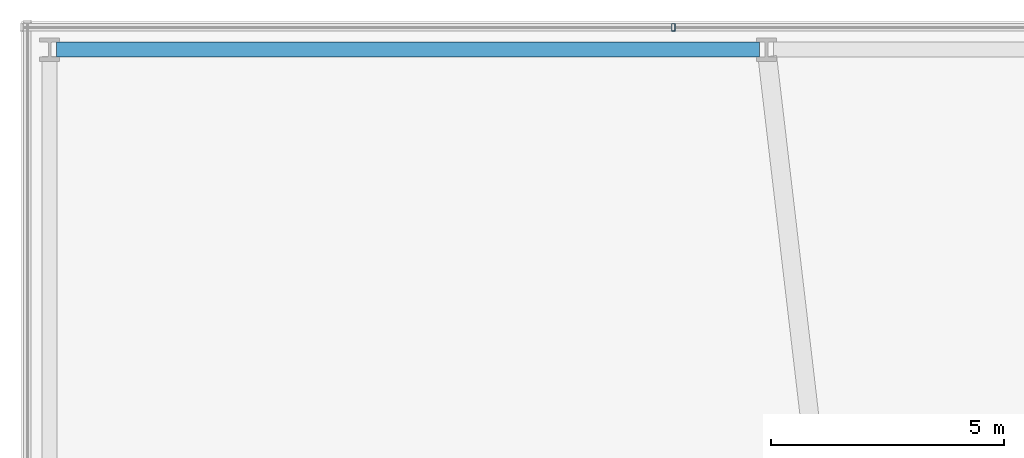
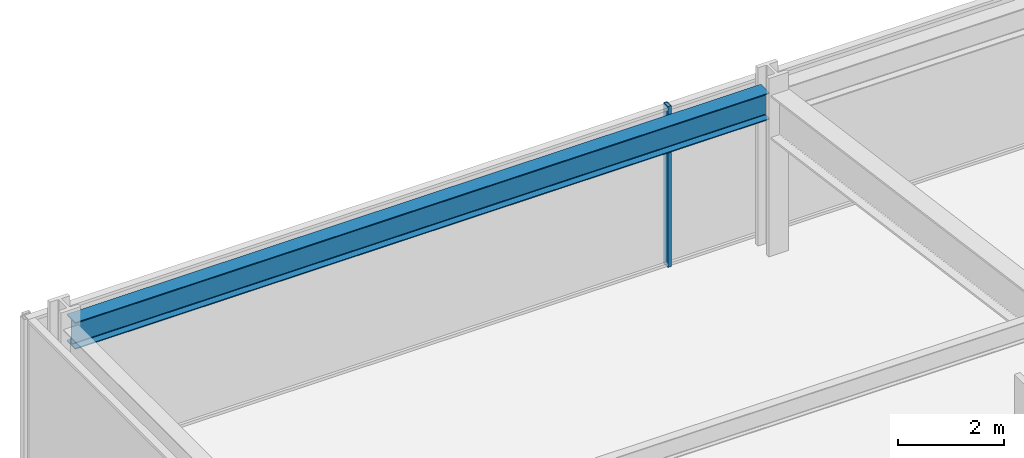
# One storey, part 24 of 39: 1 beam, 1 member, 1 element without a shape of its own.
"""IFC4 building model written with IfcOpenShell, lengths in metres."""

from ifc_helpers import new_model, si_unit, direction, frame, origin, origin_2d, place, context, subcontext, project, spatial, hollow_rectangle, i_section, extrude, material, material_profile, profile_set, type_object, element, aggregate, save


model = new_model("IFC4")

# Units and contexts
model_context = context("Model", 3, precision=1e-05, world=origin(), true_north=direction((0.0, 1.0)))
body_context = subcontext(model_context, "Body", "Model", "MODEL_VIEW")
ifc_project = project(units=[si_unit("LENGTHUNIT", "METRE"), si_unit("AREAUNIT", "SQUARE_METRE"), si_unit("VOLUMEUNIT", "CUBIC_METRE"), si_unit("PLANEANGLEUNIT", "RADIAN"), si_unit("MASSUNIT", "GRAM", prefix="KILO")], contexts=[model_context])

# Site, building, storey
site_placement = place(None, origin())
site = spatial("IfcSite", under=ifc_project, at=site_placement, CompositionType="ELEMENT")
building_placement = place(site_placement, origin())
building = spatial("IfcBuilding", under=site, at=building_placement, Name="Kolvaren Belvedere", CompositionType="ELEMENT")
storey_placement = place(building_placement, frame((0.0, 0.0, 15.199951171875)))
storey = spatial("IfcBuildingStorey", under=building, at=storey_placement, Name="L04", CompositionType="ELEMENT", Elevation=15.199951171875)

# Beam
ifc_material_1 = material(Name="Structural steel ASTM A992 Grade 50", Category="steel")
ifc_material_profile_1 = material_profile(ifc_material_1, i_section(OverallWidth=0.324951171875, OverallDepth=0.615966796875, WebThickness=0.013916015625, FlangeThickness=0.021484375, FilletRadius=0.02001953125, at=origin_2d()), Name="W24X117")
ifc_profile_set_1 = profile_set([ifc_material_profile_1], Name="Structural steel ASTM A992 Grade 50")
beam_type = type_object("IfcBeamType", Name="BM-SPAN-W24X117", PredefinedType="SPANDREL", material=ifc_profile_set_1)
beam_placement = place(storey_placement, frame((-27.25, 27.800048828125, 3.39208984375), z_axis=(1.0, 0.0, 0.0), x_axis=(0.0, 1.0, 0.0)))
element("IfcBeam", 1, at=beam_placement, inside=storey, type_object=beam_type, Name="L04 North Podium Spandrel 1", PredefinedType="SPANDREL", context=body_context, shape_type="SweptSolid", body=[
    extrude(i_section(OverallWidth=0.324951171875, OverallDepth=0.615966796875, WebThickness=0.013916015625, FlangeThickness=0.021484375, FilletRadius=0.02001953125, at=origin_2d()), origin(), (0.0, 0.0, 1.0), 15.10009765625),
])

# Curtain wall, member
ifc_material_2 = material(Name="Anodised pale-metal aluminium AA 6063-T6", Category="aluminium")
curtain_wall_type = type_object("IfcCurtainWallType", Name="CW-POD-A", PredefinedType="NOTDEFINED", material=ifc_material_2)
curtain_wall_placement = place(storey_placement, origin())
curtain_wall = element("IfcCurtainWall", 2, at=curtain_wall_placement, inside=storey, type_object=curtain_wall_type, Name="L04 Unitised Curtain Wall FCW-L04-N", PredefinedType="NOTDEFINED")
ifc_material_3 = material(Name="Anodised pale-metal aluminium AA 6063-T6", Category="aluminium")
ifc_material_profile_2 = material_profile(ifc_material_3, hollow_rectangle(XDim=0.074951171875, YDim=0.159912109375, WallThickness=0.00439453125, at=origin_2d()), Name="ALU-MUL-160X75")
ifc_profile_set_2 = profile_set([ifc_material_profile_2], Name="Anodised pale-metal aluminium AA 6063-T6")
member_type = type_object("IfcMemberType", Name="CW-MUL-160", PredefinedType="MULLION", material=ifc_profile_set_2)
member_placement = place(storey_placement, frame((-14.0, 28.280029296875, 0.0), z_axis=(0.0, 0.0, 1.0), x_axis=(1.0, 0.0, 0.0)))
member = element("IfcMember", 3, at=member_placement, type_object=member_type, Name="FCW-L04-N Unitised Mullion 2", PredefinedType="MULLION", context=body_context, shape_type="SweptSolid", body=[
    extrude(hollow_rectangle(XDim=0.074951171875, YDim=0.159912109375, WallThickness=0.00439453125, at=origin_2d()), origin(), (0.0, 0.0, 1.0), 3.699951171875),
])
aggregate(curtain_wall, [member])

save(model, "model.ifc")
